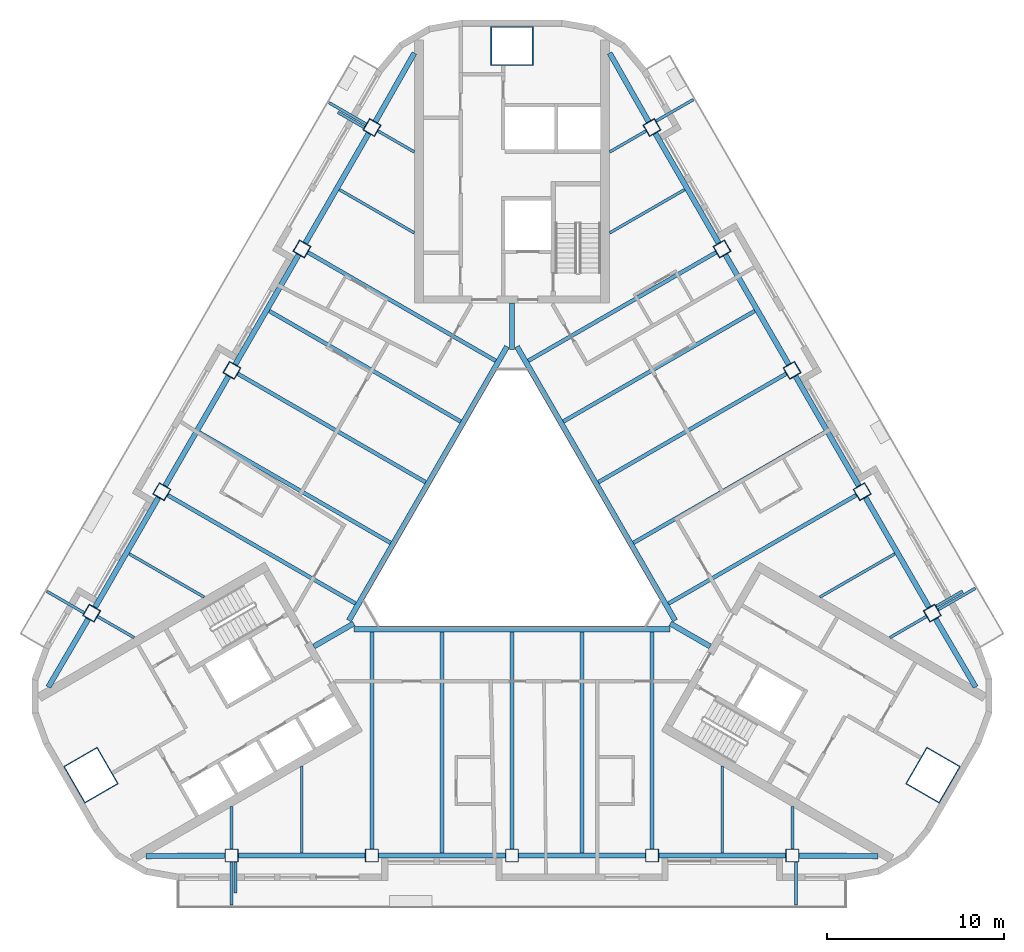
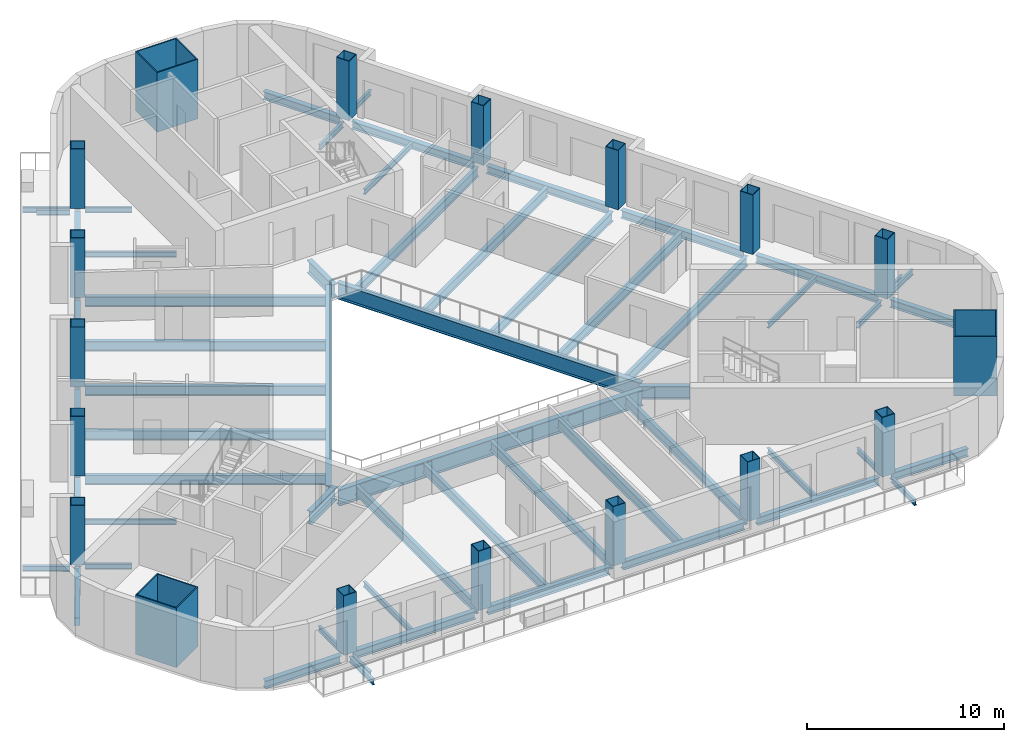
# One storey, part 1 of 13: 60 beams, 18 columns.
"""IFC4 building model written with IfcOpenShell, lengths in metres."""

from ifc_helpers import new_model, si_unit, direction, frame, origin, origin_2d, place, context, subcontext, project, spatial, rectangle, hollow_rectangle, i_section, extrude, material, material_profile, profile_set, type_object, element, save


model = new_model("IFC4")

# Units and contexts
model_context = context("Model", 3, precision=1e-05, world=origin(), true_north=direction((0.0, 1.0)))
body_context = subcontext(model_context, "Body", "Model", "MODEL_VIEW")
ifc_project = project(units=[si_unit("LENGTHUNIT", "METRE"), si_unit("AREAUNIT", "SQUARE_METRE"), si_unit("VOLUMEUNIT", "CUBIC_METRE"), si_unit("PLANEANGLEUNIT", "RADIAN"), si_unit("MASSUNIT", "GRAM", prefix="KILO")], contexts=[model_context])

# Site, building, storey
site_placement = place(None, origin())
site = spatial("IfcSite", under=ifc_project, at=site_placement, CompositionType="ELEMENT")
building_placement = place(site_placement, origin())
building = spatial("IfcBuilding", under=site, at=building_placement, Name="Apuvela Tower Hotel", CompositionType="ELEMENT")
storey_placement = place(building_placement, frame((0.0, 0.0, 194.699951171875)))
storey = spatial("IfcBuildingStorey", under=building, at=storey_placement, Name="L47", CompositionType="ELEMENT", Elevation=194.699951171875)

# Columns
ifc_material_1 = material(Name="Steel S460", Category="steel")
ifc_material_profile_1 = material_profile(ifc_material_1, hollow_rectangle(XDim=2.39990234375, YDim=2.199951171875, WallThickness=0.06005859375, at=origin_2d()), Name="BOX 2400x2200x60")
ifc_material_2 = material(Name="Concrete C80/95", Category="concrete")
ifc_material_profile_2 = material_profile(ifc_material_2, rectangle(XDim=2.280029296875, YDim=2.080078125, at=origin_2d()), Name="Concrete C80/95 infill")
ifc_profile_set_1 = profile_set([ifc_material_profile_1, ifc_material_profile_2], Name="Steel S460")
column_type_1 = type_object("IfcColumnType", Name="STR-MC mega column BOX 2400x2200x60", PredefinedType="COLUMN", material=ifc_profile_set_1)
for number, where, z_axis, x_axis, name in (
    (1, (0.0, 27.39990234375, 0.0), (0.0, 0.0, 1.0), (1.0, 0.0, 0.0), "Mega column MC3 N"),
    (2, (-23.72900390625, -13.699951171875, 0.0), (0.0, 0.0, 1.0), (-0.5, 0.866025403784, 0.0), "Mega column MC3 SW"),
    (3, (23.72900390625, -13.699951171875, 0.0), (0.0, 0.0, 1.0), (0.5, 0.866025403784, 0.0), "Mega column MC3 SE"),
):
    element("IfcColumn", number, at=place(storey_placement, frame(where, z_axis=z_axis, x_axis=x_axis)), inside=storey, type_object=column_type_1, Name=name, PredefinedType="COLUMN", context=body_context, shape_type="SweptSolid", body=[
        extrude(hollow_rectangle(XDim=2.39990234375, YDim=2.199951171875, WallThickness=0.06005859375, at=origin_2d()), origin(), (0.0, 0.0, 1.0), 3.699951171875),
    ])
ifc_material_profile_3 = material_profile(ifc_material_1, hollow_rectangle(XDim=0.75, YDim=0.75, WallThickness=0.034912109375, at=origin_2d()), Name="BOX 750x750x35")
ifc_material_profile_4 = material_profile(ifc_material_2, rectangle(XDim=0.679931640625, YDim=0.679931640625, at=origin_2d()), Name="Concrete C80/95 infill")
ifc_profile_set_2 = profile_set([ifc_material_profile_3, ifc_material_profile_4], Name="Steel S460")
column_type_2 = type_object("IfcColumnType", Name="STR-PC perimeter column BOX 750x750x35", PredefinedType="COLUMN", material=ifc_profile_set_2)
for number, where, z_axis, x_axis, name in (
    (4, (-15.800048828125, -18.22998046875, 0.0), (0.0, 0.0, 1.0), (-1.0, 0.0, 0.0), "Perimeter column C5 S1"),
    (5, (-7.89990234375, -18.22998046875, 0.0), (0.0, 0.0, 1.0), (-1.0, 0.0, 0.0), "Perimeter column C5 S2"),
    (6, (0.0, -18.22998046875, 0.0), (0.0, 0.0, 1.0), (-1.0, 0.0, 0.0), "Perimeter column C5 S3"),
    (7, (7.89990234375, -18.22998046875, 0.0), (0.0, 0.0, 1.0), (-1.0, 0.0, 0.0), "Perimeter column C5 S4"),
    (8, (15.800048828125, -18.22998046875, 0.0), (0.0, 0.0, 1.0), (-1.0, 0.0, 0.0), "Perimeter column C5 S5"),
    (9, (23.6875, -4.568115234375, 0.0), (0.0, 0.0, 1.0), (-0.5, 0.866025403784, 0.0), "Perimeter column C5 NE1"),
    (10, (19.737548828125, 2.2734375, 0.0), (0.0, 0.0, 1.0), (-0.5, 0.866025403784, 0.0), "Perimeter column C5 NE2"),
    (11, (15.78759765625, 9.114990234375, 0.0), (0.0, 0.0, 1.0), (-0.5, 0.866025403784, 0.0), "Perimeter column C5 NE3"),
    (12, (11.837646484375, 15.95654296875, 0.0), (0.0, 0.0, 1.0), (-0.5, 0.866025403784, 0.0), "Perimeter column C5 NE4"),
    (13, (7.8876953125, 22.798095703125, 0.0), (0.0, 0.0, 1.0), (-0.5, 0.866025403784, 0.0), "Perimeter column C5 NE5"),
    (14, (-7.8876953125, 22.798095703125, 0.0), (0.0, 0.0, 1.0), (0.5, 0.866025403784, 0.0), "Perimeter column C5 NW1"),
    (15, (-11.837646484375, 15.95654296875, 0.0), (0.0, 0.0, 1.0), (0.5, 0.866025403784, 0.0), "Perimeter column C5 NW2"),
    (16, (-15.78759765625, 9.114990234375, 0.0), (0.0, 0.0, 1.0), (0.5, 0.866025403784, 0.0), "Perimeter column C5 NW3"),
    (17, (-19.737548828125, 2.2734375, 0.0), (0.0, 0.0, 1.0), (0.5, 0.866025403784, 0.0), "Perimeter column C5 NW4"),
    (18, (-23.6875, -4.568115234375, 0.0), (0.0, 0.0, 1.0), (0.5, 0.866025403784, 0.0), "Perimeter column C5 NW5"),
):
    element("IfcColumn", number, at=place(storey_placement, frame(where, z_axis=z_axis, x_axis=x_axis)), inside=storey, type_object=column_type_2, Name=name, PredefinedType="COLUMN", context=body_context, shape_type="SweptSolid", body=[
        extrude(hollow_rectangle(XDim=0.75, YDim=0.75, WallThickness=0.034912109375, at=origin_2d()), origin(), (0.0, 0.0, 1.0), 3.699951171875),
    ])

# Beams
ifc_material_3 = material(Name="Steel S355", Category="steel")
ifc_material_profile_5 = material_profile(ifc_material_3, i_section(OverallWidth=0.159912109375, OverallDepth=0.330078125, WebThickness=0.007568359375, FlangeThickness=0.011474609375, at=origin_2d()), Name="IPE 330")
ifc_profile_set_3 = profile_set([ifc_material_profile_5], Name="Steel S355")
beam_type_1 = type_object("IfcBeamType", Name="ENV-BALCONY-BEAM-IPE330", PredefinedType="BEAM", material=ifc_profile_set_3)
beam_1_placement = place(storey_placement, frame((-15.800048828125, -18.60498046875, -0.31494140625), z_axis=(0.0, -1.0, 0.0), x_axis=(1.0, 0.0, 0.0)))
element("IfcBeam", 19, at=beam_1_placement, inside=storey, type_object=beam_type_1, Name="Balcony cantilever beam S1 L47", PredefinedType="BEAM", context=body_context, shape_type="SweptSolid", body=[
    extrude(i_section(OverallWidth=0.159912109375, OverallDepth=0.330078125, WebThickness=0.007568359375, FlangeThickness=0.011474609375, at=origin_2d()), origin(), (0.0, 0.0, 1.0), 2.425048828125),
])
beam_2_placement = place(storey_placement, frame((-15.580078125, -18.60498046875, -0.31494140625), z_axis=(0.0, -1.0, 0.0), x_axis=(1.0, 0.0, 0.0)))
element("IfcBeam", 20, at=beam_2_placement, inside=storey, type_object=beam_type_1, Name="Balcony cantilever beam S2 L47", PredefinedType="BEAM", context=body_context, shape_type="SweptSolid", body=[
    extrude(i_section(OverallWidth=0.159912109375, OverallDepth=0.330078125, WebThickness=0.007568359375, FlangeThickness=0.011474609375, at=origin_2d()), origin(), (0.0, 0.0, 1.0), 1.72509765625),
])
for number, where, z_axis, x_axis, name in (
    (21, (16.0, -18.60498046875, -0.31494140625), (0.0, -1.0, 0.0), (1.0, 0.0, 0.0), "Balcony cantilever beam S3 L47"),
    (22, (24.012451171875, -4.380615234375, -0.31494140625), (0.866041403502, 0.499972286653, 0.0), (-0.499972286653, 0.866041403502, 0.0), "Balcony cantilever beam NE1 L47"),
):
    element("IfcBeam", number, at=place(storey_placement, frame(where, z_axis=z_axis, x_axis=x_axis)), inside=storey, type_object=beam_type_1, Name=name, PredefinedType="BEAM", context=body_context, shape_type="SweptSolid", body=[
        extrude(i_section(OverallWidth=0.159912109375, OverallDepth=0.330078125, WebThickness=0.007568359375, FlangeThickness=0.011474609375, at=origin_2d()), origin(), (0.0, 0.0, 1.0), 2.425048828125),
    ])
beam_3_placement = place(storey_placement, frame((23.90234375, -4.190185546875, -0.31494140625), z_axis=(0.866013532718, 0.500020560727, 0.0), x_axis=(-0.500020560727, 0.866013532718, 0.0)))
element("IfcBeam", 23, at=beam_3_placement, inside=storey, type_object=beam_type_1, Name="Balcony cantilever beam NE2 L47", PredefinedType="BEAM", context=body_context, shape_type="SweptSolid", body=[
    extrude(i_section(OverallWidth=0.159912109375, OverallDepth=0.330078125, WebThickness=0.007568359375, FlangeThickness=0.011474609375, at=origin_2d()), origin(), (0.0, 0.0, 1.0), 1.72509765625),
])
for number, where, z_axis, x_axis, name in (
    (24, (8.1123046875, 23.158935546875, -0.31494140625), (0.866041403502, 0.499972286653, 0.0), (-0.499972286653, 0.866041403502, 0.0), "Balcony cantilever beam NE3 L47"),
    (25, (-8.21240234375, 22.985595703125, -0.31494140625), (-0.865997808697, 0.500047793048, 0.0), (-0.500047793048, -0.865997808697, 0.0), "Balcony cantilever beam NW1 L47"),
):
    element("IfcBeam", number, at=place(storey_placement, frame(where, z_axis=z_axis, x_axis=x_axis)), inside=storey, type_object=beam_type_1, Name=name, PredefinedType="BEAM", context=body_context, shape_type="SweptSolid", body=[
        extrude(i_section(OverallWidth=0.159912109375, OverallDepth=0.330078125, WebThickness=0.007568359375, FlangeThickness=0.011474609375, at=origin_2d()), origin(), (0.0, 0.0, 1.0), 2.425048828125),
    ])
beam_4_placement = place(storey_placement, frame((-8.322509765625, 22.795166015625, -0.31494140625), z_axis=(-0.866013532718, 0.500020560727, 0.0), x_axis=(-0.500020560727, -0.866013532718, 0.0)))
element("IfcBeam", 26, at=beam_4_placement, inside=storey, type_object=beam_type_1, Name="Balcony cantilever beam NW2 L47", PredefinedType="BEAM", context=body_context, shape_type="SweptSolid", body=[
    extrude(i_section(OverallWidth=0.159912109375, OverallDepth=0.330078125, WebThickness=0.007568359375, FlangeThickness=0.011474609375, at=origin_2d()), origin(), (0.0, 0.0, 1.0), 1.72509765625),
])
beam_5_placement = place(storey_placement, frame((-24.1123046875, -4.553955078125, -0.31494140625), z_axis=(-0.865997808697, 0.500047793048, 0.0), x_axis=(-0.500047793048, -0.865997808697, 0.0)))
element("IfcBeam", 27, at=beam_5_placement, inside=storey, type_object=beam_type_1, Name="Balcony cantilever beam NW3 L47", PredefinedType="BEAM", context=body_context, shape_type="SweptSolid", body=[
    extrude(i_section(OverallWidth=0.159912109375, OverallDepth=0.330078125, WebThickness=0.007568359375, FlangeThickness=0.011474609375, at=origin_2d()), origin(), (0.0, 0.0, 1.0), 2.425048828125),
])
ifc_material_profile_6 = material_profile(ifc_material_3, i_section(OverallWidth=0.159912109375, OverallDepth=0.330078125, WebThickness=0.007568359375, FlangeThickness=0.011474609375, at=origin_2d()), Name="IPE 330")
ifc_profile_set_4 = profile_set([ifc_material_profile_6], Name="Steel S355")
beam_type_2 = type_object("IfcBeamType", Name="STR-B floor beam IPE 330", PredefinedType="BEAM", material=ifc_profile_set_4)
beam_6_placement = place(storey_placement, frame((23.36279296875, -4.755615234375, -0.31494140625), z_axis=(-0.865982457891, -0.500074377092, 0.0), x_axis=(0.500074377092, -0.865982457891, 0.0)))
element("IfcBeam", 28, at=beam_6_placement, inside=storey, type_object=beam_type_2, Name="Floor beam B1 NE1", PredefinedType="BEAM", context=body_context, shape_type="SweptSolid", body=[
    extrude(i_section(OverallWidth=0.159912109375, OverallDepth=0.330078125, WebThickness=0.007568359375, FlangeThickness=0.011474609375, at=origin_2d()), origin(), (0.0, 0.0, 1.0), 2.382080078125),
])
for number, where, z_axis, x_axis, name in (
    (29, (21.582763671875, -1.222412109375, -0.31494140625), (-0.866015056278, -0.500017921979, 0.0), (0.500017921979, -0.866015056278, 0.0), "Floor beam B1 NE2"),
    (30, (9.732666015625, 19.302490234375, -0.31494140625), (-0.866015056278, -0.500017921979, 0.0), (0.500017921979, -0.866015056278, 0.0), "Floor beam B1 NE8"),
):
    element("IfcBeam", number, at=place(storey_placement, frame(where, z_axis=z_axis, x_axis=x_axis)), inside=storey, type_object=beam_type_2, Name=name, PredefinedType="BEAM", context=body_context, shape_type="SweptSolid", body=[
        extrude(i_section(OverallWidth=0.159912109375, OverallDepth=0.330078125, WebThickness=0.007568359375, FlangeThickness=0.011474609375, at=origin_2d()), origin(), (0.0, 0.0, 1.0), 4.887451171875),
    ])
for number, where, z_axis, x_axis, name in (
    (31, (7.56298828125, 22.610595703125, -0.31494140625), (-0.866052464367, -0.499953126767, 0.0), (0.499953126767, -0.866052464367, 0.0), "Floor beam B1 NE9"),
    (32, (-7.56298828125, 22.610595703125, -0.31494140625), (0.866052464367, -0.499953126767, 0.0), (0.499953126767, 0.866052464367, 0.0), "Floor beam B1 NW1"),
):
    element("IfcBeam", number, at=place(storey_placement, frame(where, z_axis=z_axis, x_axis=x_axis)), inside=storey, type_object=beam_type_2, Name=name, PredefinedType="BEAM", context=body_context, shape_type="SweptSolid", body=[
        extrude(i_section(OverallWidth=0.159912109375, OverallDepth=0.330078125, WebThickness=0.007568359375, FlangeThickness=0.011474609375, at=origin_2d()), origin(), (0.0, 0.0, 1.0), 2.382080078125),
    ])
for number, where, z_axis, x_axis, name in (
    (33, (-9.732666015625, 19.302490234375, -0.31494140625), (0.866015056278, -0.500017921979, 0.0), (0.500017921979, 0.866015056278, 0.0), "Floor beam B1 NW2"),
    (34, (-21.582763671875, -1.222412109375, -0.31494140625), (0.866015056278, -0.500017921979, 0.0), (0.500017921979, 0.866015056278, 0.0), "Floor beam B1 NW8"),
):
    element("IfcBeam", number, at=place(storey_placement, frame(where, z_axis=z_axis, x_axis=x_axis)), inside=storey, type_object=beam_type_2, Name=name, PredefinedType="BEAM", context=body_context, shape_type="SweptSolid", body=[
        extrude(i_section(OverallWidth=0.159912109375, OverallDepth=0.330078125, WebThickness=0.007568359375, FlangeThickness=0.011474609375, at=origin_2d()), origin(), (0.0, 0.0, 1.0), 4.887451171875),
    ])
for number, where, z_axis, x_axis, name in (
    (35, (-23.36279296875, -4.755615234375, -0.31494140625), (0.865982457891, -0.500074377092, 0.0), (0.500074377092, 0.865982457891, 0.0), "Floor beam B1 NW9"),
    (36, (-15.800048828125, -17.85498046875, -0.31494140625), (0.0, 1.0, 0.0), (-1.0, 0.0, 0.0), "Floor beam B1 S1"),
):
    element("IfcBeam", number, at=place(storey_placement, frame(where, z_axis=z_axis, x_axis=x_axis)), inside=storey, type_object=beam_type_2, Name=name, PredefinedType="BEAM", context=body_context, shape_type="SweptSolid", body=[
        extrude(i_section(OverallWidth=0.159912109375, OverallDepth=0.330078125, WebThickness=0.007568359375, FlangeThickness=0.011474609375, at=origin_2d()), origin(), (0.0, 0.0, 1.0), 2.382080078125),
    ])
for number, where, z_axis, x_axis, name in (
    (37, (-11.85009765625, -18.080078125, -0.31494140625), (0.0, 1.0, 0.0), (-1.0, 0.0, 0.0), "Floor beam B1 S2"),
    (38, (11.85009765625, -18.080078125, -0.31494140625), (0.0, 1.0, 0.0), (-1.0, 0.0, 0.0), "Floor beam B1 S8"),
):
    element("IfcBeam", number, at=place(storey_placement, frame(where, z_axis=z_axis, x_axis=x_axis)), inside=storey, type_object=beam_type_2, Name=name, PredefinedType="BEAM", context=body_context, shape_type="SweptSolid", body=[
        extrude(i_section(OverallWidth=0.159912109375, OverallDepth=0.330078125, WebThickness=0.007568359375, FlangeThickness=0.011474609375, at=origin_2d()), origin(), (0.0, 0.0, 1.0), 4.8876953125),
    ])
beam_7_placement = place(storey_placement, frame((15.800048828125, -17.85498046875, -0.31494140625), z_axis=(0.0, 1.0, 0.0), x_axis=(-1.0, 0.0, 0.0)))
element("IfcBeam", 39, at=beam_7_placement, inside=storey, type_object=beam_type_2, Name="Floor beam B1 S9", PredefinedType="BEAM", context=body_context, shape_type="SweptSolid", body=[
    extrude(i_section(OverallWidth=0.159912109375, OverallDepth=0.330078125, WebThickness=0.007568359375, FlangeThickness=0.011474609375, at=origin_2d()), origin(), (0.0, 0.0, 1.0), 2.382080078125),
])
ifc_material_profile_7 = material_profile(ifc_material_3, i_section(OverallWidth=0.219970703125, OverallDepth=0.60009765625, WebThickness=0.011962890625, FlangeThickness=0.01904296875, at=origin_2d()), Name="IPE 600")
ifc_profile_set_5 = profile_set([ifc_material_profile_7], Name="Steel S355")
beam_type_3 = type_object("IfcBeamType", Name="STR-B floor beam IPE 600", PredefinedType="BEAM", material=ifc_profile_set_5)
beam_8_placement = place(storey_placement, frame((19.412841796875, 2.0859375, -0.449951171875), z_axis=(-0.866025418325, -0.499999974815, 0.0), x_axis=(0.499999974815, -0.866025418325, 0.0)))
element("IfcBeam", 40, at=beam_8_placement, inside=storey, type_object=beam_type_3, Name="Floor beam B8 NE3", PredefinedType="BEAM", context=body_context, shape_type="SweptSolid", body=[
    extrude(i_section(OverallWidth=0.219970703125, OverallDepth=0.60009765625, WebThickness=0.011962890625, FlangeThickness=0.01904296875, at=origin_2d()), origin(), (0.0, 0.0, 1.0), 12.23486328125),
])
beam_9_placement = place(storey_placement, frame((17.6328125, 5.619140625, -0.449951171875), z_axis=(-0.866027987673, -0.499995524547, 0.0), x_axis=(0.499995524547, -0.866027987673, 0.0)))
element("IfcBeam", 41, at=beam_9_placement, inside=storey, type_object=beam_type_3, Name="Floor beam B8 NE4", PredefinedType="BEAM", context=body_context, shape_type="SweptSolid", body=[
    extrude(i_section(OverallWidth=0.219970703125, OverallDepth=0.60009765625, WebThickness=0.011962890625, FlangeThickness=0.01904296875, at=origin_2d()), origin(), (0.0, 0.0, 1.0), 12.4599609375),
])
beam_10_placement = place(storey_placement, frame((15.462890625, 8.927490234375, -0.449951171875), z_axis=(-0.866025418325, -0.499999974815, 0.0), x_axis=(0.499999974815, -0.866025418325, 0.0)))
element("IfcBeam", 42, at=beam_10_placement, inside=storey, type_object=beam_type_3, Name="Floor beam B8 NE5", PredefinedType="BEAM", context=body_context, shape_type="SweptSolid", body=[
    extrude(i_section(OverallWidth=0.219970703125, OverallDepth=0.60009765625, WebThickness=0.011962890625, FlangeThickness=0.01904296875, at=origin_2d()), origin(), (0.0, 0.0, 1.0), 12.23486328125),
])
beam_11_placement = place(storey_placement, frame((13.6826171875, 12.460693359375, -0.449951171875), z_axis=(-0.866023089177, -0.500004008996, 0.0), x_axis=(0.500004008996, -0.866023089177, 0.0)))
element("IfcBeam", 43, at=beam_11_placement, inside=storey, type_object=beam_type_3, Name="Floor beam B8 NE6", PredefinedType="BEAM", context=body_context, shape_type="SweptSolid", body=[
    extrude(i_section(OverallWidth=0.219970703125, OverallDepth=0.60009765625, WebThickness=0.011962890625, FlangeThickness=0.01904296875, at=origin_2d()), origin(), (0.0, 0.0, 1.0), 12.4599609375),
])
for number, where, z_axis, x_axis, name in (
    (44, (11.512939453125, 15.76904296875, -0.449951171875), (-0.866030406821, -0.499991334387, 0.0), (0.499991334387, -0.866030406821, 0.0), "Floor beam B8 NE7"),
    (45, (-11.512939453125, 15.76904296875, -0.449951171875), (0.866030406821, -0.499991334387, 0.0), (0.499991334387, 0.866030406821, 0.0), "Floor beam B8 NW3"),
):
    element("IfcBeam", number, at=place(storey_placement, frame(where, z_axis=z_axis, x_axis=x_axis)), inside=storey, type_object=beam_type_3, Name=name, PredefinedType="BEAM", context=body_context, shape_type="SweptSolid", body=[
        extrude(i_section(OverallWidth=0.219970703125, OverallDepth=0.60009765625, WebThickness=0.011962890625, FlangeThickness=0.01904296875, at=origin_2d()), origin(), (0.0, 0.0, 1.0), 12.235107421875),
    ])
beam_12_placement = place(storey_placement, frame((-13.6826171875, 12.460693359375, -0.449951171875), z_axis=(0.866023089177, -0.500004008996, 0.0), x_axis=(0.500004008996, 0.866023089177, 0.0)))
element("IfcBeam", 46, at=beam_12_placement, inside=storey, type_object=beam_type_3, Name="Floor beam B8 NW4", PredefinedType="BEAM", context=body_context, shape_type="SweptSolid", body=[
    extrude(i_section(OverallWidth=0.219970703125, OverallDepth=0.60009765625, WebThickness=0.011962890625, FlangeThickness=0.01904296875, at=origin_2d()), origin(), (0.0, 0.0, 1.0), 12.4599609375),
])
beam_13_placement = place(storey_placement, frame((-15.462890625, 8.927490234375, -0.449951171875), z_axis=(0.866025418325, -0.499999974815, 0.0), x_axis=(0.499999974815, 0.866025418325, 0.0)))
element("IfcBeam", 47, at=beam_13_placement, inside=storey, type_object=beam_type_3, Name="Floor beam B8 NW5", PredefinedType="BEAM", context=body_context, shape_type="SweptSolid", body=[
    extrude(i_section(OverallWidth=0.219970703125, OverallDepth=0.60009765625, WebThickness=0.011962890625, FlangeThickness=0.01904296875, at=origin_2d()), origin(), (0.0, 0.0, 1.0), 12.23486328125),
])
beam_14_placement = place(storey_placement, frame((-17.6328125, 5.619140625, -0.449951171875), z_axis=(0.866027987673, -0.499995524547, 0.0), x_axis=(0.499995524547, 0.866027987673, 0.0)))
element("IfcBeam", 48, at=beam_14_placement, inside=storey, type_object=beam_type_3, Name="Floor beam B8 NW6", PredefinedType="BEAM", context=body_context, shape_type="SweptSolid", body=[
    extrude(i_section(OverallWidth=0.219970703125, OverallDepth=0.60009765625, WebThickness=0.011962890625, FlangeThickness=0.01904296875, at=origin_2d()), origin(), (0.0, 0.0, 1.0), 12.4599609375),
])
for number, where, z_axis, x_axis, name in (
    (49, (-19.412841796875, 2.0859375, -0.449951171875), (0.866025418325, -0.499999974815, 0.0), (0.499999974815, 0.866025418325, 0.0), "Floor beam B8 NW7"),
    (50, (-7.89990234375, -17.85498046875, -0.449951171875), (0.0, 1.0, 0.0), (-1.0, 0.0, 0.0), "Floor beam B8 S3"),
):
    element("IfcBeam", number, at=place(storey_placement, frame(where, z_axis=z_axis, x_axis=x_axis)), inside=storey, type_object=beam_type_3, Name=name, PredefinedType="BEAM", context=body_context, shape_type="SweptSolid", body=[
        extrude(i_section(OverallWidth=0.219970703125, OverallDepth=0.60009765625, WebThickness=0.011962890625, FlangeThickness=0.01904296875, at=origin_2d()), origin(), (0.0, 0.0, 1.0), 12.23486328125),
    ])
beam_15_placement = place(storey_placement, frame((-3.949951171875, -18.080078125, -0.449951171875), z_axis=(0.0, 1.0, 0.0), x_axis=(-1.0, 0.0, 0.0)))
element("IfcBeam", 51, at=beam_15_placement, inside=storey, type_object=beam_type_3, Name="Floor beam B8 S4", PredefinedType="BEAM", context=body_context, shape_type="SweptSolid", body=[
    extrude(i_section(OverallWidth=0.219970703125, OverallDepth=0.60009765625, WebThickness=0.011962890625, FlangeThickness=0.01904296875, at=origin_2d()), origin(), (0.0, 0.0, 1.0), 12.4599609375),
])
beam_16_placement = place(storey_placement, frame((0.0, -17.85498046875, -0.449951171875), z_axis=(0.0, 1.0, 0.0), x_axis=(-1.0, 0.0, 0.0)))
element("IfcBeam", 52, at=beam_16_placement, inside=storey, type_object=beam_type_3, Name="Floor beam B8 S5", PredefinedType="BEAM", context=body_context, shape_type="SweptSolid", body=[
    extrude(i_section(OverallWidth=0.219970703125, OverallDepth=0.60009765625, WebThickness=0.011962890625, FlangeThickness=0.01904296875, at=origin_2d()), origin(), (0.0, 0.0, 1.0), 12.23486328125),
])
beam_17_placement = place(storey_placement, frame((3.949951171875, -18.080078125, -0.449951171875), z_axis=(0.0, 1.0, 0.0), x_axis=(-1.0, 0.0, 0.0)))
element("IfcBeam", 53, at=beam_17_placement, inside=storey, type_object=beam_type_3, Name="Floor beam B8 S6", PredefinedType="BEAM", context=body_context, shape_type="SweptSolid", body=[
    extrude(i_section(OverallWidth=0.219970703125, OverallDepth=0.60009765625, WebThickness=0.011962890625, FlangeThickness=0.01904296875, at=origin_2d()), origin(), (0.0, 0.0, 1.0), 12.4599609375),
])
beam_18_placement = place(storey_placement, frame((7.89990234375, -17.85498046875, -0.449951171875), z_axis=(0.0, 1.0, 0.0), x_axis=(-1.0, 0.0, 0.0)))
element("IfcBeam", 54, at=beam_18_placement, inside=storey, type_object=beam_type_3, Name="Floor beam B8 S7", PredefinedType="BEAM", context=body_context, shape_type="SweptSolid", body=[
    extrude(i_section(OverallWidth=0.219970703125, OverallDepth=0.60009765625, WebThickness=0.011962890625, FlangeThickness=0.01904296875, at=origin_2d()), origin(), (0.0, 0.0, 1.0), 12.23486328125),
])
ifc_material_profile_8 = material_profile(ifc_material_3, i_section(OverallWidth=0.300048828125, OverallDepth=1.0, WebThickness=0.01904296875, FlangeThickness=0.035888671875, at=origin_2d()), Name="HE 1000 B")
ifc_profile_set_6 = profile_set([ifc_material_profile_8], Name="Steel S355")
beam_type_4 = type_object("IfcBeamType", Name="STR-G atrium ring girder HE 1000 B", PredefinedType="BEAM", material=ifc_profile_set_6)
beam_19_placement = place(storey_placement, frame((-0.27978515625, 10.455078125, -0.64990234375), z_axis=(-0.500006541319, -0.866021627119, 0.0), x_axis=(0.866021627119, -0.500006541319, 0.0)))
element("IfcBeam", 55, at=beam_19_placement, inside=storey, type_object=beam_type_4, Name="Atrium ring girder G2 N-SW", PredefinedType="BEAM", context=body_context, shape_type="SweptSolid", body=[
    extrude(i_section(OverallWidth=0.300048828125, OverallDepth=1.0, WebThickness=0.01904296875, FlangeThickness=0.035888671875, at=origin_2d()), origin(), (0.0, 0.0, 1.0), 17.828857421875),
])
beam_20_placement = place(storey_placement, frame((-8.91455078125, -5.469970703125, -0.64990234375), z_axis=(1.0, 0.0, 0.0), x_axis=(0.0, 1.0, 0.0)))
element("IfcBeam", 56, at=beam_20_placement, inside=storey, type_object=beam_type_4, Name="Atrium ring girder G2 SW-SE", PredefinedType="BEAM", context=body_context, shape_type="SweptSolid", body=[
    extrude(i_section(OverallWidth=0.300048828125, OverallDepth=1.0, WebThickness=0.01904296875, FlangeThickness=0.035888671875, at=origin_2d()), origin(), (0.0, 0.0, 1.0), 17.8291015625),
])
beam_21_placement = place(storey_placement, frame((9.1943359375, -4.985107421875, -0.64990234375), z_axis=(-0.500006541319, 0.866021627119, 0.0), x_axis=(-0.866021627119, -0.500006541319, 0.0)))
element("IfcBeam", 57, at=beam_21_placement, inside=storey, type_object=beam_type_4, Name="Atrium ring girder G2 SE-N", PredefinedType="BEAM", context=body_context, shape_type="SweptSolid", body=[
    extrude(i_section(OverallWidth=0.300048828125, OverallDepth=1.0, WebThickness=0.01904296875, FlangeThickness=0.035888671875, at=origin_2d()), origin(), (0.0, 0.0, 1.0), 17.828857421875),
])
ifc_material_profile_9 = material_profile(ifc_material_3, i_section(OverallWidth=0.300048828125, OverallDepth=0.800048828125, WebThickness=0.017578125, FlangeThickness=0.032958984375, at=origin_2d()), Name="HE 800 B")
ifc_profile_set_7 = profile_set([ifc_material_profile_9], Name="Steel S355")
beam_type_5 = type_object("IfcBeamType", Name="STR-GT core tie beam HE 800 B", PredefinedType="BEAM", material=ifc_profile_set_7)
for number, where, z_axis, x_axis, name in (
    (58, (0.0, 12.89990234375, -0.550048828125), (0.0, -1.0, 0.0), (1.0, 0.0, 0.0), "Core tie beam GT1 N"),
    (59, (-11.171630859375, -6.449951171875, -0.550048828125), (0.865997922154, 0.500047596559, 0.0), (-0.500047596559, 0.865997922154, 0.0), "Core tie beam GT1 SW"),
    (60, (11.171630859375, -6.449951171875, -0.550048828125), (-0.865997922154, 0.500047596559, 0.0), (-0.500047596559, -0.865997922154, 0.0), "Core tie beam GT1 SE"),
):
    element("IfcBeam", number, at=place(storey_placement, frame(where, z_axis=z_axis, x_axis=x_axis)), inside=storey, type_object=beam_type_5, Name=name, PredefinedType="BEAM", context=body_context, shape_type="SweptSolid", body=[
        extrude(i_section(OverallWidth=0.300048828125, OverallDepth=0.800048828125, WebThickness=0.017578125, FlangeThickness=0.032958984375, at=origin_2d()), origin(), (0.0, 0.0, 1.0), 2.599853515625),
    ])
ifc_material_profile_10 = material_profile(ifc_material_3, i_section(OverallWidth=0.300048828125, OverallDepth=0.489990234375, WebThickness=0.011962890625, FlangeThickness=0.02294921875, at=origin_2d()), Name="HE 500 A")
ifc_profile_set_8 = profile_set([ifc_material_profile_10], Name="Steel S355")
beam_type_6 = type_object("IfcBeamType", Name="STR-SB spandrel beam HE 500 A", PredefinedType="SPANDREL", material=ifc_profile_set_8)
beam_22_placement = place(storey_placement, frame((-15.425048828125, -18.22998046875, -0.39501953125), z_axis=(1.0, 0.0, 0.0), x_axis=(0.0, 1.0, 0.0)))
element("IfcBeam", 61, at=beam_22_placement, inside=storey, type_object=beam_type_6, Name="Spandrel beam SB3 S1", PredefinedType="SPANDREL", context=body_context, shape_type="SweptSolid", body=[
    extrude(i_section(OverallWidth=0.300048828125, OverallDepth=0.489990234375, WebThickness=0.011962890625, FlangeThickness=0.02294921875, at=origin_2d()), origin(), (0.0, 0.0, 1.0), 7.150146484375),
])
for number, where, z_axis, x_axis, name in (
    (62, (-7.52490234375, -18.22998046875, -0.39501953125), (1.0, 0.0, 0.0), (0.0, 1.0, 0.0), "Spandrel beam SB3 S2"),
    (63, (0.375, -18.22998046875, -0.39501953125), (1.0, 0.0, 0.0), (0.0, 1.0, 0.0), "Spandrel beam SB3 S3"),
):
    element("IfcBeam", number, at=place(storey_placement, frame(where, z_axis=z_axis, x_axis=x_axis)), inside=storey, type_object=beam_type_6, Name=name, PredefinedType="SPANDREL", context=body_context, shape_type="SweptSolid", body=[
        extrude(i_section(OverallWidth=0.300048828125, OverallDepth=0.489990234375, WebThickness=0.011962890625, FlangeThickness=0.02294921875, at=origin_2d()), origin(), (0.0, 0.0, 1.0), 7.14990234375),
    ])
beam_23_placement = place(storey_placement, frame((8.27490234375, -18.22998046875, -0.39501953125), z_axis=(1.0, 0.0, 0.0), x_axis=(0.0, 1.0, 0.0)))
element("IfcBeam", 64, at=beam_23_placement, inside=storey, type_object=beam_type_6, Name="Spandrel beam SB3 S4", PredefinedType="SPANDREL", context=body_context, shape_type="SweptSolid", body=[
    extrude(i_section(OverallWidth=0.300048828125, OverallDepth=0.489990234375, WebThickness=0.011962890625, FlangeThickness=0.02294921875, at=origin_2d()), origin(), (0.0, 0.0, 1.0), 7.150146484375),
])
beam_24_placement = place(storey_placement, frame((23.5, -4.243408203125, -0.39501953125), z_axis=(-0.500006209673, 0.866021818598, 0.0), x_axis=(-0.866021818598, -0.500006209673, 0.0)))
element("IfcBeam", 65, at=beam_24_placement, inside=storey, type_object=beam_type_6, Name="Spandrel beam SB3 NE1", PredefinedType="SPANDREL", context=body_context, shape_type="SweptSolid", body=[
    extrude(i_section(OverallWidth=0.300048828125, OverallDepth=0.489990234375, WebThickness=0.011962890625, FlangeThickness=0.02294921875, at=origin_2d()), origin(), (0.0, 0.0, 1.0), 7.14990234375),
])
for number, where, z_axis, x_axis, name in (
    (66, (19.550048828125, 2.59814453125, -0.39501953125), (-0.499991424076, 0.86603035504, 0.0), (-0.86603035504, -0.499991424076, 0.0), "Spandrel beam SB3 NE2"),
    (67, (15.60009765625, 9.439697265625, -0.39501953125), (-0.499991424076, 0.86603035504, 0.0), (-0.86603035504, -0.499991424076, 0.0), "Spandrel beam SB3 NE3"),
):
    element("IfcBeam", number, at=place(storey_placement, frame(where, z_axis=z_axis, x_axis=x_axis)), inside=storey, type_object=beam_type_6, Name=name, PredefinedType="SPANDREL", context=body_context, shape_type="SweptSolid", body=[
        extrude(i_section(OverallWidth=0.300048828125, OverallDepth=0.489990234375, WebThickness=0.011962890625, FlangeThickness=0.02294921875, at=origin_2d()), origin(), (0.0, 0.0, 1.0), 7.150146484375),
    ])
for number, where, z_axis, x_axis, name in (
    (68, (11.650146484375, 16.281494140625, -0.39501953125), (-0.500006209673, 0.866021818598, 0.0), (-0.866021818598, -0.500006209673, 0.0), "Spandrel beam SB3 NE4"),
    (69, (-8.0751953125, 22.473388671875, -0.39501953125), (-0.500006209673, -0.866021818598, 0.0), (0.866021818598, -0.500006209673, 0.0), "Spandrel beam SB3 NW1"),
):
    element("IfcBeam", number, at=place(storey_placement, frame(where, z_axis=z_axis, x_axis=x_axis)), inside=storey, type_object=beam_type_6, Name=name, PredefinedType="SPANDREL", context=body_context, shape_type="SweptSolid", body=[
        extrude(i_section(OverallWidth=0.300048828125, OverallDepth=0.489990234375, WebThickness=0.011962890625, FlangeThickness=0.02294921875, at=origin_2d()), origin(), (0.0, 0.0, 1.0), 7.14990234375),
    ])
for number, where, z_axis, x_axis, name in (
    (70, (-12.025146484375, 15.6318359375, -0.39501953125), (-0.499991424076, -0.86603035504, 0.0), (0.86603035504, -0.499991424076, 0.0), "Spandrel beam SB3 NW2"),
    (71, (-15.97509765625, 8.790283203125, -0.39501953125), (-0.499991424076, -0.86603035504, 0.0), (0.86603035504, -0.499991424076, 0.0), "Spandrel beam SB3 NW3"),
):
    element("IfcBeam", number, at=place(storey_placement, frame(where, z_axis=z_axis, x_axis=x_axis)), inside=storey, type_object=beam_type_6, Name=name, PredefinedType="SPANDREL", context=body_context, shape_type="SweptSolid", body=[
        extrude(i_section(OverallWidth=0.300048828125, OverallDepth=0.489990234375, WebThickness=0.011962890625, FlangeThickness=0.02294921875, at=origin_2d()), origin(), (0.0, 0.0, 1.0), 7.150146484375),
    ])
beam_25_placement = place(storey_placement, frame((-19.925048828125, 1.948486328125, -0.39501953125), z_axis=(-0.500006209673, -0.866021818598, 0.0), x_axis=(0.866021818598, -0.500006209673, 0.0)))
element("IfcBeam", 72, at=beam_25_placement, inside=storey, type_object=beam_type_6, Name="Spandrel beam SB3 NW4", PredefinedType="SPANDREL", context=body_context, shape_type="SweptSolid", body=[
    extrude(i_section(OverallWidth=0.300048828125, OverallDepth=0.489990234375, WebThickness=0.011962890625, FlangeThickness=0.02294921875, at=origin_2d()), origin(), (0.0, 0.0, 1.0), 7.14990234375),
])
for number, where, z_axis, x_axis, name in (
    (73, (-16.175048828125, -18.232666015625, -0.39501953125), (-0.999976567383, -0.006845778571, 0.0), (0.006845778571, -0.999976567383, 0.0), "Spandrel beam SB3 S1-SW"),
    (74, (16.175048828125, -18.232666015625, -0.39501953125), (0.999976567383, -0.006845778571, 0.0), (0.006845778571, 0.999976567383, 0.0), "Spandrel beam SB3 S5-SE"),
    (75, (23.87744140625, -4.8916015625, -0.39501953125), (0.505933122104, -0.862572707636, 0.0), (0.862572707636, 0.505933122104, 0.0), "Spandrel beam SB3 NE1-SE"),
    (76, (7.702392578125, 23.124267578125, -0.39501953125), (-0.494055513212, 0.869430359411, 0.0), (-0.869430359411, -0.494055513212, 0.0), "Spandrel beam SB3 NE5-N"),
    (77, (-7.702392578125, 23.124267578125, -0.39501953125), (0.494055513212, 0.869430359411, 0.0), (-0.869430359411, 0.494055513212, 0.0), "Spandrel beam SB3 NW1-N"),
    (78, (-23.87744140625, -4.8916015625, -0.39501953125), (-0.505933122104, -0.862572707636, 0.0), (0.862572707636, -0.505933122104, 0.0), "Spandrel beam SB3 NW5-SW"),
):
    element("IfcBeam", number, at=place(storey_placement, frame(where, z_axis=z_axis, x_axis=x_axis)), inside=storey, type_object=beam_type_6, Name=name, PredefinedType="SPANDREL", context=body_context, shape_type="SweptSolid", body=[
        extrude(i_section(OverallWidth=0.300048828125, OverallDepth=0.489990234375, WebThickness=0.011962890625, FlangeThickness=0.02294921875, at=origin_2d()), origin(), (0.0, 0.0, 1.0), 4.457763671875),
    ])

save(model, "model.ifc")
